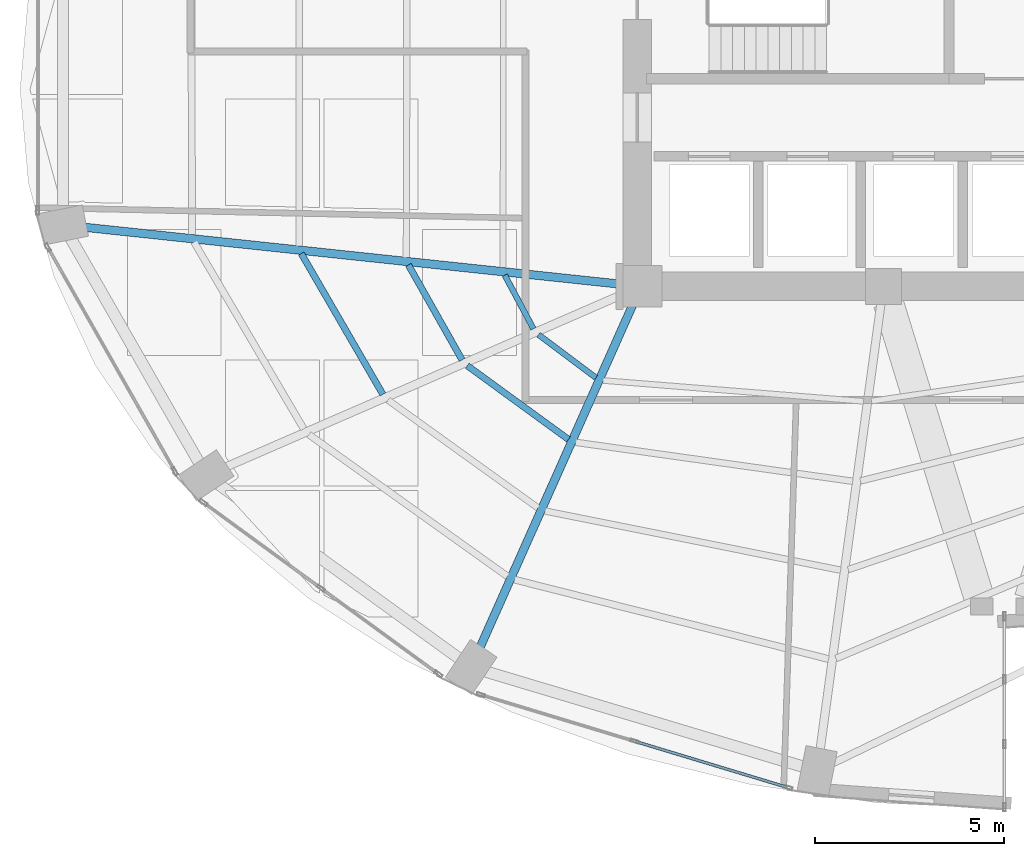
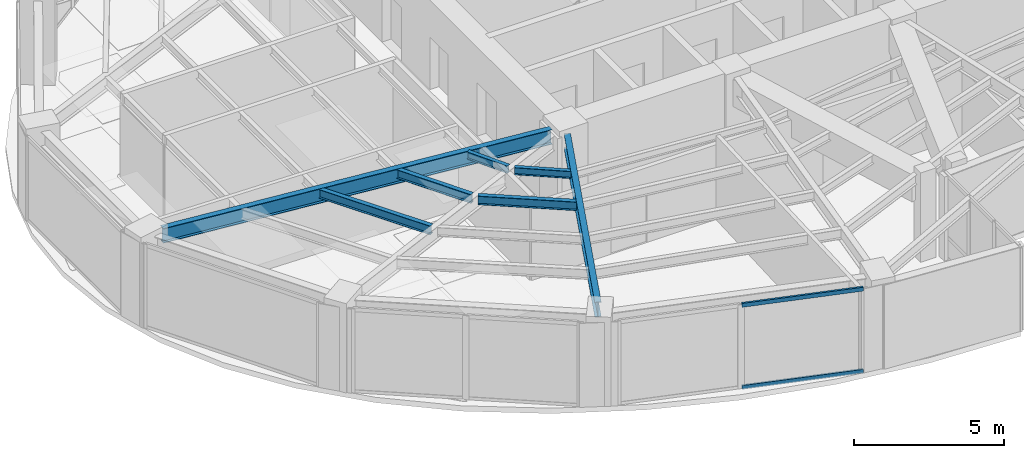
# One storey, part 4 of 24: 7 beams, 2 members, 1 element without a shape of its own.
"""IFC4 building model written with IfcOpenShell, lengths in metres."""

from ifc_helpers import new_model, si_unit, direction, frame, origin, origin_2d, place, context, subcontext, project, spatial, hollow_rectangle, i_section, extrude, material, layer, layer_set, material_profile, profile_set, type_object, element, aggregate, save


model = new_model("IFC4")

# Units and contexts
model_context = context("Model", 3, precision=1e-05, world=origin(), true_north=direction((0.0, 1.0)))
body_context = subcontext(model_context, "Body", "Model", "MODEL_VIEW")
ifc_project = project(units=[si_unit("LENGTHUNIT", "METRE"), si_unit("AREAUNIT", "SQUARE_METRE"), si_unit("VOLUMEUNIT", "CUBIC_METRE"), si_unit("PLANEANGLEUNIT", "RADIAN"), si_unit("MASSUNIT", "GRAM", prefix="KILO")], contexts=[model_context])

# Site, building, storey
site_placement = place(None, origin())
site = spatial("IfcSite", under=ifc_project, at=site_placement, CompositionType="ELEMENT")
building_placement = place(site_placement, origin())
building = spatial("IfcBuilding", under=site, at=building_placement, Name="Lazwardi Medical Tower", CompositionType="ELEMENT")
storey_placement = place(building_placement, frame((0.0, 0.0, 103.632080078125)))
storey = spatial("IfcBuildingStorey", under=building, at=storey_placement, Name="L26", CompositionType="ELEMENT", Elevation=103.632080078125)

# Beams
ifc_material_1 = material(Name="Steel S355", Category="steel")
ifc_material_profile_1 = material_profile(ifc_material_1, i_section(OverallWidth=0.219970703125, OverallDepth=0.60009765625, WebThickness=0.011962890625, FlangeThickness=0.01904296875, at=origin_2d()), Name="IPE 600")
ifc_profile_set_1 = profile_set([ifc_material_profile_1], Name="Steel S355")
beam_type_1 = type_object("IfcBeamType", Name="BM-RG-W1", PredefinedType="BEAM", material=ifc_profile_set_1)
beam_1_placement = place(storey_placement, frame((11.7138671875, 21.958984375, 3.1279296875), z_axis=(0.994413340753, -0.10555618282, 0.0), x_axis=(0.10555618282, 0.994413340753, 0.0)))
element("IfcBeam", 1, at=beam_1_placement, inside=storey, type_object=beam_type_1, Name="Radial girder RG-02 R13 L26", PredefinedType="BEAM", context=body_context, shape_type="SweptSolid", body=[
    extrude(i_section(OverallWidth=0.219970703125, OverallDepth=0.60009765625, WebThickness=0.011962890625, FlangeThickness=0.01904296875, at=origin_2d()), origin(), (0.0, 0.0, 1.0), 14.233642578125),
])
beam_2_placement = place(storey_placement, frame((22.152587890625, 10.872314453125, 3.1279296875), z_axis=(0.407165924957, 0.913354208155, 0.0), x_axis=(-0.913354208155, 0.407165924957, 0.0)))
element("IfcBeam", 2, at=beam_2_placement, inside=storey, type_object=beam_type_1, Name="Radial girder RG-02 R15 L26", PredefinedType="BEAM", context=body_context, shape_type="SweptSolid", body=[
    extrude(i_section(OverallWidth=0.219970703125, OverallDepth=0.60009765625, WebThickness=0.011962890625, FlangeThickness=0.01904296875, at=origin_2d()), origin(), (0.0, 0.0, 1.0), 9.896484375),
])
ifc_material_profile_2 = material_profile(ifc_material_1, i_section(OverallWidth=0.169921875, OverallDepth=0.360107421875, WebThickness=0.008056640625, FlangeThickness=0.0126953125, at=origin_2d()), Name="IPE 360")
ifc_profile_set_2 = profile_set([ifc_material_profile_2], Name="Steel S355")
beam_type_2 = type_object("IfcBeamType", Name="BM-SJ-02", PredefinedType="JOIST", material=ifc_profile_set_2)
beam_3_placement = place(storey_placement, frame((17.42822265625, 21.26708984375, 3.247802734375), z_axis=(0.501365325212, -0.865235696602, 0.0), x_axis=(0.865235696602, 0.501365325212, 0.0)))
element("IfcBeam", 3, at=beam_3_placement, inside=storey, type_object=beam_type_2, Name="Secondary joist SJ-02 R2 B13 L26", PredefinedType="JOIST", context=body_context, shape_type="SweptSolid", body=[
    extrude(i_section(OverallWidth=0.169921875, OverallDepth=0.360107421875, WebThickness=0.008056640625, FlangeThickness=0.0126953125, at=origin_2d()), origin(), (0.0, 0.0, 1.0), 4.298828125),
])
beam_4_placement = place(storey_placement, frame((20.258056640625, 20.966064453125, 3.247802734375), z_axis=(0.492026539517, -0.870580199873, 0.0), x_axis=(0.870580199873, 0.492026539517, 0.0)))
element("IfcBeam", 4, at=beam_4_placement, inside=storey, type_object=beam_type_2, Name="Secondary joist SJ-02 R3 B13 L26", PredefinedType="JOIST", context=body_context, shape_type="SweptSolid", body=[
    extrude(i_section(OverallWidth=0.169921875, OverallDepth=0.360107421875, WebThickness=0.008056640625, FlangeThickness=0.0126953125, at=origin_2d()), origin(), (0.0, 0.0, 1.0), 2.880859375),
])
beam_5_placement = place(storey_placement, frame((21.81201171875, 18.3046875, 3.247802734375), z_axis=(0.808301737247, -0.588768461761, 0.0), x_axis=(0.588768461761, 0.808301737247, 0.0)))
element("IfcBeam", 5, at=beam_5_placement, inside=storey, type_object=beam_type_2, Name="Secondary joist SJ-02 R3 B14 L26", PredefinedType="JOIST", context=body_context, shape_type="SweptSolid", body=[
    extrude(i_section(OverallWidth=0.169921875, OverallDepth=0.360107421875, WebThickness=0.008056640625, FlangeThickness=0.0126953125, at=origin_2d()), origin(), (0.0, 0.0, 1.0), 3.307373046875),
])
ifc_material_profile_3 = material_profile(ifc_material_1, i_section(OverallWidth=0.14990234375, OverallDepth=0.300048828125, WebThickness=0.007080078125, FlangeThickness=0.0107421875, at=origin_2d()), Name="IPE 300")
ifc_profile_set_3 = profile_set([ifc_material_profile_3], Name="Steel S355")
beam_type_3 = type_object("IfcBeamType", Name="BM-SJ-03", PredefinedType="JOIST", material=ifc_profile_set_3)
beam_6_placement = place(storey_placement, frame((22.8037109375, 20.6943359375, 3.27783203125), z_axis=(0.471022344925, -0.882121278839, 0.0), x_axis=(0.882121278839, 0.471022344925, 0.0)))
element("IfcBeam", 6, at=beam_6_placement, inside=storey, type_object=beam_type_3, Name="Secondary joist SJ-03 R4 B13 L26", PredefinedType="JOIST", context=body_context, shape_type="SweptSolid", body=[
    extrude(i_section(OverallWidth=0.14990234375, OverallDepth=0.300048828125, WebThickness=0.007080078125, FlangeThickness=0.0107421875, at=origin_2d()), origin(), (0.0, 0.0, 1.0), 1.605224609375),
])
beam_7_placement = place(storey_placement, frame((23.693359375, 19.12255859375, 3.27783203125), z_axis=(0.800447687995, -0.599402618265, 0.0), x_axis=(0.599402618265, 0.800447687995, 0.0)))
element("IfcBeam", 7, at=beam_7_placement, inside=storey, type_object=beam_type_3, Name="Secondary joist SJ-03 R4 B14 L26", PredefinedType="JOIST", context=body_context, shape_type="SweptSolid", body=[
    extrude(i_section(OverallWidth=0.14990234375, OverallDepth=0.300048828125, WebThickness=0.007080078125, FlangeThickness=0.0107421875, at=origin_2d()), origin(), (0.0, 0.0, 1.0), 1.896728515625),
])

# Curtain wall, members
ifc_material_2 = material(Name="Anodised bronze aluminium and solar control glazing", Category="aluminium")
ifc_layer = layer(ifc_material_2, 0.195068359375)
ifc_layer_set = layer_set([ifc_layer], Name="Anodised bronze aluminium and solar control glazing")
curtain_wall_type = type_object("IfcCurtainWallType", Name="CW-SYS-03", PredefinedType="NOTDEFINED", material=ifc_layer_set)
curtain_wall_placement = place(storey_placement, origin())
curtain_wall = element("IfcCurtainWall", 8, at=curtain_wall_placement, inside=storey, type_object=curtain_wall_type, Name="L26 Unitised bronze curtain wall CW-03", PredefinedType="NOTDEFINED")
ifc_material_3 = material(Name="Anodised bronze aluminium", Category="aluminium")
ifc_material_profile_4 = material_profile(ifc_material_3, hollow_rectangle(XDim=0.074951171875, YDim=0.159912109375, WallThickness=0.00390625, at=origin_2d()), Name="ALU-TRANSOM 160x75x4")
ifc_profile_set_4 = profile_set([ifc_material_profile_4], Name="Anodised bronze aluminium")
member_type = type_object("IfcMemberType", Name="CW-TRN-01", PredefinedType="USERDEFINED", material=ifc_profile_set_4)
member_1_placement = place(storey_placement, frame((26.2666015625, 8.3759765625, 0.037353515625), z_axis=(0.957220865985, -0.289358279168, 0.0), x_axis=(0.289358279168, 0.957220865985, 0.0)))
member_1 = element("IfcMember", 9, at=member_1_placement, type_object=member_type, Name="CW-03 transom 2.1", ObjectType="TRANSOM", PredefinedType="USERDEFINED", context=body_context, shape_type="SweptSolid", body=[
    extrude(hollow_rectangle(XDim=0.074951171875, YDim=0.159912109375, WallThickness=0.00390625, at=origin_2d()), origin(), (0.0, 0.0, 1.0), 4.16552734375),
])
member_2_placement = place(storey_placement, frame((26.2666015625, 8.3759765625, 3.390380859375), z_axis=(0.957220865985, -0.289358279168, 0.0), x_axis=(0.289358279168, 0.957220865985, 0.0)))
member_2 = element("IfcMember", 10, at=member_2_placement, type_object=member_type, Name="CW-03 transom 2.2", ObjectType="TRANSOM", PredefinedType="USERDEFINED", context=body_context, shape_type="SweptSolid", body=[
    extrude(hollow_rectangle(XDim=0.074951171875, YDim=0.159912109375, WallThickness=0.00390625, at=origin_2d()), origin(), (0.0, 0.0, 1.0), 4.16552734375),
])
aggregate(curtain_wall, [member_1, member_2])

save(model, "model.ifc")
